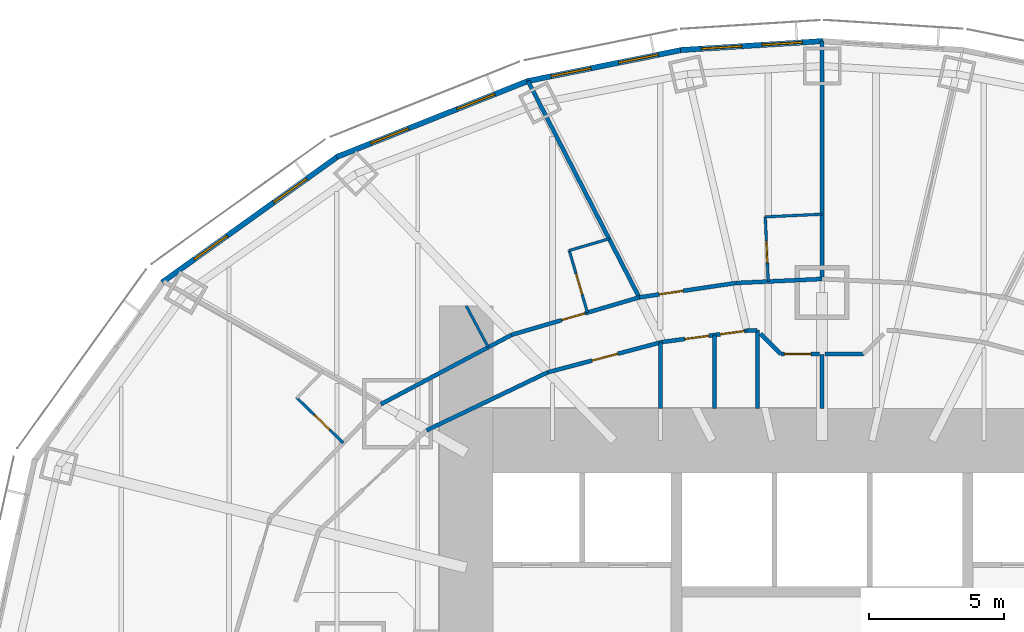
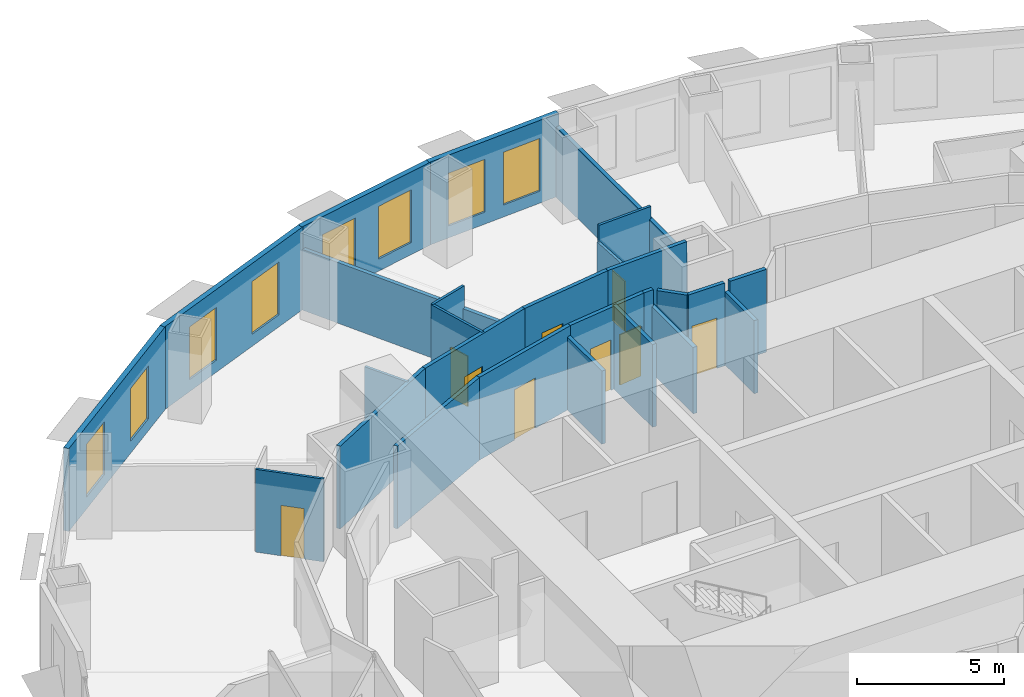
# One storey, part 9 of 15: 27 walls, 9 doors, 8 windows, 17 openings.
"""IFC4 building model written with IfcOpenShell, lengths in metres."""

from ifc_helpers import new_model, si_unit, direction, frame, frame_2d, origin, place, context, subcontext, project, spatial, rectangle, extrude, material, layer, layer_set, type_object, element, fill, save


model = new_model("IFC4")

# Units and contexts
model_context = context("Model", 3, precision=1e-05, world=origin(), true_north=direction((0.0, 1.0)))
body_context = subcontext(model_context, "Body", "Model", "MODEL_VIEW")
ifc_project = project(units=[si_unit("LENGTHUNIT", "METRE"), si_unit("AREAUNIT", "SQUARE_METRE"), si_unit("VOLUMEUNIT", "CUBIC_METRE"), si_unit("PLANEANGLEUNIT", "RADIAN"), si_unit("MASSUNIT", "GRAM", prefix="KILO")], contexts=[model_context])

# Site, building, storey
site_placement = place(None, origin())
site = spatial("IfcSite", under=ifc_project, at=site_placement, CompositionType="ELEMENT")
building_placement = place(site_placement, origin())
building = spatial("IfcBuilding", under=site, at=building_placement, Name="Lantaw Convention Tower", CompositionType="ELEMENT")
storey_placement = place(building_placement, frame((0.0, 0.0, 76.60009765625)))
storey = spatial("IfcBuildingStorey", under=building, at=storey_placement, Name="L17", CompositionType="ELEMENT", Elevation=76.60009765625)

# Walls
ifc_material_1 = material(Name="Gypsum board on steel studs", Category="steel")
ifc_layer_1 = layer(ifc_material_1, 0.14990234375)
ifc_layer_set_1 = layer_set([ifc_layer_1], Name="Back of house wall 150")
wall_type_1 = type_object("IfcWallType", Name="Back of house wall 150", PredefinedType="PARTITIONING", material=ifc_layer_set_1)
wall_1_placement = place(storey_placement, frame((0.0, 9.199951171875, 0.0), z_axis=(0.0, 0.0, 1.0), x_axis=(0.0, 1.0, 0.0)))
element("IfcWall", 1, at=wall_1_placement, inside=storey, type_object=wall_type_1, Name="Back of house wall 150", PredefinedType="PARTITIONING", context=body_context, shape_type="SweptSolid", body=[
    extrude(rectangle(XDim=2.005126953125, YDim=0.14990234375, at=frame_2d((1.00244140625, 0.0))), origin(), (0.0, 0.0, 1.0), 3.04345703125),
])
wall_2_placement = place(storey_placement, frame((-1.5322265625, 11.215087890625, 0.0), z_axis=(0.0, 0.0, 1.0), x_axis=(-0.707106781187, 0.707106781187, 0.0)))
element("IfcWall", 2, at=wall_2_placement, inside=storey, type_object=wall_type_1, Name="Back of house wall 150", PredefinedType="PARTITIONING", context=body_context, shape_type="SweptSolid", body=[
    extrude(rectangle(XDim=1.064453125, YDim=0.14990234375, at=frame_2d((0.5322265625, 0.0))), origin(), (0.0, 0.0, 1.0), 3.449951171875),
])

# Wall, opening, door
ifc_material_2 = material(Name="Moisture resistant gypsum board on steel studs", Category="steel")
ifc_layer_2 = layer(ifc_material_2, 0.10009765625)
ifc_layer_set_2 = layer_set([ifc_layer_2], Name="Bathroom wall 100")
wall_type_2 = type_object("IfcWallType", Name="Bathroom wall 100", PredefinedType="PARTITIONING", material=ifc_layer_set_2)
wall_3_placement = place(storey_placement, frame((-1.997802734375, 13.9072265625, 0.0), z_axis=(0.0, 0.0, 1.0), x_axis=(-0.046492089498, 0.998918658157, 0.0)))
wall_3 = element("IfcWall", 3, at=wall_3_placement, inside=storey, type_object=wall_type_2, Name="Bathroom wall 100", PredefinedType="PARTITIONING", context=body_context, shape_type="SweptSolid", body=[
    extrude(rectangle(XDim=2.39990234375, YDim=0.10009765625, at=frame_2d((1.199951171875, 0.0))), origin(), (0.0, 0.0, 1.0), 2.748779296875),
])
opening_1_placement = place(wall_3_placement, frame((0.699951171875, 0.0, 0.0)))
opening_1 = element("IfcOpeningElement", 4, at=opening_1_placement, cuts=wall_3, Name="Opening L17.35", PredefinedType="OPENING", context=body_context, shape_type="SweptSolid", body=[
    extrude(rectangle(XDim=0.800048828125, YDim=2.10009765625, at=frame_2d((0.39990234375, 1.050048828125))), frame((0.0, 0.06005859375, 0.0), z_axis=(0.0, -1.0, 0.0), x_axis=(1.0, 0.0, 0.0)), (0.0, 0.0, 1.0), 0.1201171875),
])
ifc_material_3 = material(Name="Timber", Category="wood")
door_type_1 = type_object("IfcDoorType", Name="Bathroom door 800", OperationType="SINGLE_SWING_LEFT", PredefinedType="DOOR", material=ifc_material_3)
door_1_placement = place(opening_1_placement, origin())
door_1 = element("IfcDoor", 5, at=door_1_placement, inside=storey, type_object=door_type_1, Name="Bathroom door", OperationType="SINGLE_SWING_LEFT", OverallHeight=2.10009765625, OverallWidth=0.800048828125, PredefinedType="DOOR", context=body_context, shape_type="SweptSolid", body=[
    extrude(rectangle(XDim=0.800048828125, YDim=2.10009765625, at=frame_2d((0.39990234375, 1.050048828125))), frame((0.0, 0.02490234375, 0.0), z_axis=(0.0, -1.0, 0.0), x_axis=(1.0, 0.0, 0.0)), (0.0, 0.0, 1.0), 0.050048828125),
])
fill(opening_1, door_1)

# Wall
wall_4_placement = place(storey_placement, frame((-2.109375, 16.304443359375, 0.0), z_axis=(0.0, 0.0, 1.0), x_axis=(0.998919337223, 0.04647749694, 0.0)))
element("IfcWall", 6, at=wall_4_placement, inside=storey, type_object=wall_type_2, Name="Bathroom wall 100", PredefinedType="PARTITIONING", context=body_context, shape_type="SweptSolid", body=[
    extrude(rectangle(XDim=2.111572265625, YDim=0.10009765625, at=frame_2d((1.0556640625, 0.0))), origin(), (0.0, 0.0, 1.0), 3.449951171875),
])

# Wall, opening, door
wall_5_placement = place(storey_placement, frame((-8.70458984375, 12.75390625, 0.0), z_axis=(0.0, 0.0, 1.0), x_axis=(-0.281659633817, 0.959514382736, 0.0)))
wall_5 = element("IfcWall", 7, at=wall_5_placement, inside=storey, type_object=wall_type_2, Name="Bathroom wall 100", PredefinedType="PARTITIONING", context=body_context, shape_type="SweptSolid", body=[
    extrude(rectangle(XDim=2.400146484375, YDim=0.10009765625, at=frame_2d((1.2001953125, 0.0))), origin(), (0.0, 0.0, 1.0), 3.449951171875),
])
opening_2_placement = place(wall_5_placement, frame((0.699951171875, 0.0, 0.0)))
opening_2 = element("IfcOpeningElement", 8, at=opening_2_placement, cuts=wall_5, Name="Opening L17.37", PredefinedType="OPENING", context=body_context, shape_type="SweptSolid", body=[
    extrude(rectangle(XDim=0.800048828125, YDim=2.10009765625, at=frame_2d((0.39990234375, 1.050048828125))), frame((0.0, 0.06005859375, 0.0), z_axis=(0.0, -1.0, 0.0), x_axis=(1.0, 0.0, 0.0)), (0.0, 0.0, 1.0), 0.1201171875),
])
door_2_placement = place(opening_2_placement, origin())
door_2 = element("IfcDoor", 9, at=door_2_placement, inside=storey, type_object=door_type_1, Name="Bathroom door", OperationType="SINGLE_SWING_LEFT", OverallHeight=2.10009765625, OverallWidth=0.800048828125, PredefinedType="DOOR", context=body_context, shape_type="SweptSolid", body=[
    extrude(rectangle(XDim=0.800048828125, YDim=2.10009765625, at=frame_2d((0.39990234375, 1.050048828125))), frame((0.0, 0.02490234375, 0.0), z_axis=(0.0, -1.0, 0.0), x_axis=(1.0, 0.0, 0.0)), (0.0, 0.0, 1.0), 0.050048828125),
])
fill(opening_2, door_2)

# Wall
wall_6_placement = place(storey_placement, frame((-9.380615234375, 15.056884765625, 0.0), z_axis=(0.0, 0.0, 1.0), x_axis=(0.959518451093, 0.281645773999, 0.0)))
element("IfcWall", 10, at=wall_6_placement, inside=storey, type_object=wall_type_2, Name="Bathroom wall 100", PredefinedType="PARTITIONING", context=body_context, shape_type="SweptSolid", body=[
    extrude(rectangle(XDim=1.549072265625, YDim=0.10009765625, at=frame_2d((0.7744140625, 0.0))), origin(), (0.0, 0.0, 1.0), 3.449951171875),
])

# Wall, opening, door
wall_7_placement = place(storey_placement, frame((-17.7607421875, 7.91748046875, 0.0), z_axis=(0.0, 0.0, 1.0), x_axis=(-0.718157610206, 0.695880483204, 0.0)))
wall_7 = element("IfcWall", 11, at=wall_7_placement, inside=storey, type_object=wall_type_2, Name="Bathroom wall 100", PredefinedType="PARTITIONING", context=body_context, shape_type="SweptSolid", body=[
    extrude(rectangle(XDim=2.400146484375, YDim=0.10009765625, at=frame_2d((1.2001953125, 0.0))), origin(), (0.0, 0.0, 1.0), 3.449951171875),
])
opening_3_placement = place(wall_7_placement, frame((0.699951171875, 0.0, 0.0)))
opening_3 = element("IfcOpeningElement", 12, at=opening_3_placement, cuts=wall_7, Name="Opening L17.39", PredefinedType="OPENING", context=body_context, shape_type="SweptSolid", body=[
    extrude(rectangle(XDim=0.800048828125, YDim=2.10009765625, at=frame_2d((0.39990234375, 1.050048828125))), frame((0.0, 0.06005859375, 0.0), z_axis=(0.0, -1.0, 0.0), x_axis=(1.0, 0.0, 0.0)), (0.0, 0.0, 1.0), 0.1201171875),
])
door_3_placement = place(opening_3_placement, origin())
door_3 = element("IfcDoor", 13, at=door_3_placement, inside=storey, type_object=door_type_1, Name="Bathroom door", OperationType="SINGLE_SWING_LEFT", OverallHeight=2.10009765625, OverallWidth=0.800048828125, PredefinedType="DOOR", context=body_context, shape_type="SweptSolid", body=[
    extrude(rectangle(XDim=0.800048828125, YDim=2.10009765625, at=frame_2d((0.39990234375, 1.050048828125))), frame((0.0, 0.02490234375, 0.0), z_axis=(0.0, -1.0, 0.0), x_axis=(1.0, 0.0, 0.0)), (0.0, 0.0, 1.0), 0.050048828125),
])
fill(opening_3, door_3)

# Wall
ifc_material_4 = material(Name="Gypsum board on steel studs, fire rated", Category="steel")
ifc_layer_3 = layer(ifc_material_4, 0.14990234375)
ifc_layer_set_3 = layer_set([ifc_layer_3], Name="Corridor wall 150 EI 60")
wall_type_3 = type_object("IfcWallType", Name="Corridor wall 150 EI 60", PredefinedType="PARTITIONING", material=ifc_layer_set_3)
wall_8_placement = place(storey_placement, frame((0.0, 14.0, 0.0), z_axis=(0.0, 0.0, 1.0), x_axis=(-0.998920826789, -0.046445471333, 0.0)))
element("IfcWall", 14, at=wall_8_placement, inside=storey, type_object=wall_type_3, Name="Corridor wall 150", PredefinedType="PARTITIONING", context=body_context, shape_type="SweptSolid", body=[
    extrude(rectangle(XDim=3.201171875, YDim=0.14990234375, at=frame_2d((1.6005859375, 0.0))), origin(), (0.0, 0.0, 1.0), 3.449951171875),
])

# Wall, opening, door
wall_9_placement = place(storey_placement, frame((-3.19775390625, 13.851318359375, 0.0), z_axis=(0.0, 0.0, 1.0), x_axis=(-0.989107488999, -0.14719502439, 0.0)))
wall_9 = element("IfcWall", 15, at=wall_9_placement, inside=storey, type_object=wall_type_3, Name="Corridor wall 150", PredefinedType="PARTITIONING", context=body_context, shape_type="SweptSolid", body=[
    extrude(rectangle(XDim=3.62744140625, YDim=0.14990234375, at=frame_2d((1.813720703125, 0.0))), origin(), (0.0, 0.0, 1.0), 3.449951171875),
])
opening_4_placement = place(wall_9_placement, frame((1.970458984375, 0.0, 0.0)))
opening_4 = element("IfcOpeningElement", 16, at=opening_4_placement, cuts=wall_9, Name="Opening L17.36", PredefinedType="OPENING", context=body_context, shape_type="SweptSolid", body=[
    extrude(rectangle(XDim=0.89990234375, YDim=2.10009765625, at=frame_2d((0.449951171875, 1.050048828125))), frame((0.0, 0.0849609375, 0.0), z_axis=(0.0, -1.0, 0.0), x_axis=(1.0, 0.0, 0.0)), (0.0, 0.0, 1.0), 0.169921875),
])
ifc_material_5 = material(Name="Steel, fire rated", Category="steel")
door_type_2 = type_object("IfcDoorType", Name="Guest room entrance door FD30S", OperationType="SINGLE_SWING_LEFT", PredefinedType="DOOR", material=ifc_material_5)
door_4_placement = place(opening_4_placement, origin())
door_4 = element("IfcDoor", 17, at=door_4_placement, inside=storey, type_object=door_type_2, Name="Junior suite entrance door", OperationType="SINGLE_SWING_LEFT", OverallHeight=2.10009765625, OverallWidth=0.89990234375, PredefinedType="DOOR", context=body_context, shape_type="SweptSolid", body=[
    extrude(rectangle(XDim=0.89990234375, YDim=2.10009765625, at=frame_2d((0.449951171875, 1.050048828125))), frame((0.0, 0.02490234375, 0.0), z_axis=(0.0, -1.0, 0.0), x_axis=(1.0, 0.0, 0.0)), (0.0, 0.0, 1.0), 0.050048828125),
])
fill(opening_4, door_4)

wall_10_placement = place(storey_placement, frame((-6.78564453125, 13.3173828125, 0.0), z_axis=(0.0, 0.0, 1.0), x_axis=(-0.959496227294, -0.281721475589, 0.0)))
wall_10 = element("IfcWall", 18, at=wall_10_placement, inside=storey, type_object=wall_type_3, Name="Corridor wall 150", PredefinedType="PARTITIONING", context=body_context, shape_type="SweptSolid", body=[
    extrude(rectangle(XDim=4.9326171875, YDim=0.14990234375, at=frame_2d((2.46630859375, 0.0))), origin(), (0.0, 0.0, 1.0), 3.449951171875),
])
opening_5_placement = place(wall_10_placement, frame((2.10009765625, 0.0, 0.0)))
opening_5 = element("IfcOpeningElement", 19, at=opening_5_placement, cuts=wall_10, Name="Opening L17.38", PredefinedType="OPENING", context=body_context, shape_type="SweptSolid", body=[
    extrude(rectangle(XDim=0.89990234375, YDim=2.10009765625, at=frame_2d((0.449951171875, 1.050048828125))), frame((0.0, 0.0849609375, 0.0), z_axis=(0.0, -1.0, 0.0), x_axis=(1.0, 0.0, 0.0)), (0.0, 0.0, 1.0), 0.169921875),
])
door_5_placement = place(opening_5_placement, origin())
door_5 = element("IfcDoor", 20, at=door_5_placement, inside=storey, type_object=door_type_2, Name="Junior suite entrance door", OperationType="SINGLE_SWING_LEFT", OverallHeight=2.10009765625, OverallWidth=0.89990234375, PredefinedType="DOOR", context=body_context, shape_type="SweptSolid", body=[
    extrude(rectangle(XDim=0.89990234375, YDim=2.10009765625, at=frame_2d((0.449951171875, 1.050048828125))), frame((0.0, 0.02490234375, 0.0), z_axis=(0.0, -1.0, 0.0), x_axis=(1.0, 0.0, 0.0)), (0.0, 0.0, 1.0), 0.050048828125),
])
fill(opening_5, door_5)

# Wall
wall_11_placement = place(storey_placement, frame((-11.5185546875, 11.927734375, 0.0), z_axis=(0.0, 0.0, 1.0), x_axis=(-0.883334368785, -0.468743419071, 0.0)))
element("IfcWall", 21, at=wall_11_placement, inside=storey, type_object=wall_type_3, Name="Corridor wall 150", PredefinedType="PARTITIONING", context=body_context, shape_type="SweptSolid", body=[
    extrude(rectangle(XDim=5.4912109375, YDim=0.14990234375, at=frame_2d((2.74560546875, 0.0))), origin(), (0.0, 0.0, 1.0), 3.449951171875),
])

# Wall, openings, doors
wall_12_placement = place(storey_placement, frame((-2.78955078125, 12.0830078125, 0.0), z_axis=(0.0, 0.0, 1.0), x_axis=(-0.991129053928, -0.13290296633, 0.0)))
wall_12 = element("IfcWall", 22, at=wall_12_placement, inside=storey, type_object=wall_type_3, Name="Corridor wall 150", PredefinedType="PARTITIONING", context=body_context, shape_type="SweptSolid", body=[
    extrude(rectangle(XDim=3.179931640625, YDim=0.14990234375, at=frame_2d((1.58984375, 0.0))), origin(), (0.0, 0.0, 1.0), 3.449951171875),
])
opening_6_placement = place(wall_12_placement, frame((0.10009765625, 0.0, 0.0)))
opening_6 = element("IfcOpeningElement", 23, at=opening_6_placement, cuts=wall_12, Name="Opening L17.20", PredefinedType="OPENING", context=body_context, shape_type="SweptSolid", body=[
    extrude(rectangle(XDim=0.89990234375, YDim=2.10009765625, at=frame_2d((0.449951171875, 1.050048828125))), frame((0.0, 0.0849609375, 0.0), z_axis=(0.0, -1.0, 0.0), x_axis=(1.0, 0.0, 0.0)), (0.0, 0.0, 1.0), 0.169921875),
])
opening_7_placement = place(wall_12_placement, frame((1.422119140625, 0.0, 0.0)))
opening_7 = element("IfcOpeningElement", 24, at=opening_7_placement, cuts=wall_12, Name="Opening L17.21", PredefinedType="OPENING", context=body_context, shape_type="SweptSolid", body=[
    extrude(rectangle(XDim=0.89990234375, YDim=2.10009765625, at=frame_2d((0.449951171875, 1.050048828125))), frame((0.0, 0.0849609375, 0.0), z_axis=(0.0, -1.0, 0.0), x_axis=(1.0, 0.0, 0.0)), (0.0, 0.0, 1.0), 0.169921875),
])
door_type_3 = type_object("IfcDoorType", Name="Service door 900 FD30", OperationType="SINGLE_SWING_LEFT", PredefinedType="DOOR", material=ifc_material_5)
door_6_placement = place(opening_7_placement, origin())
door_6 = element("IfcDoor", 25, at=door_6_placement, inside=storey, type_object=door_type_3, Name="Housekeeping pantry door", OperationType="SINGLE_SWING_LEFT", OverallHeight=2.10009765625, OverallWidth=0.89990234375, PredefinedType="DOOR", context=body_context, shape_type="SweptSolid", body=[
    extrude(rectangle(XDim=0.89990234375, YDim=2.10009765625, at=frame_2d((0.449951171875, 1.050048828125))), frame((0.0, 0.02490234375, 0.0), z_axis=(0.0, -1.0, 0.0), x_axis=(1.0, 0.0, 0.0)), (0.0, 0.0, 1.0), 0.050048828125),
])
fill(opening_7, door_6)
door_type_4 = type_object("IfcDoorType", Name="WC door 900 FD30", OperationType="SINGLE_SWING_LEFT", PredefinedType="DOOR", material=ifc_material_5)
door_7_placement = place(opening_6_placement, origin())
door_7 = element("IfcDoor", 26, at=door_7_placement, inside=storey, type_object=door_type_4, Name="Staff WC door", OperationType="SINGLE_SWING_LEFT", OverallHeight=2.10009765625, OverallWidth=0.89990234375, PredefinedType="DOOR", context=body_context, shape_type="SweptSolid", body=[
    extrude(rectangle(XDim=0.89990234375, YDim=2.10009765625, at=frame_2d((0.449951171875, 1.050048828125))), frame((0.0, 0.02490234375, 0.0), z_axis=(0.0, -1.0, 0.0), x_axis=(1.0, 0.0, 0.0)), (0.0, 0.0, 1.0), 0.050048828125),
])
fill(opening_6, door_7)

# Wall, opening, door
wall_13_placement = place(storey_placement, frame((-5.941162109375, 11.660400390625, 0.0), z_axis=(0.0, 0.0, 1.0), x_axis=(-0.966672790407, -0.256015070428, 0.0)))
wall_13 = element("IfcWall", 27, at=wall_13_placement, inside=storey, type_object=wall_type_3, Name="Corridor wall 150", PredefinedType="PARTITIONING", context=body_context, shape_type="SweptSolid", body=[
    extrude(rectangle(XDim=4.3818359375, YDim=0.14990234375, at=frame_2d((2.19091796875, 0.0))), origin(), (0.0, 0.0, 1.0), 3.449951171875),
])
opening_8_placement = place(wall_13_placement, frame((1.69091796875, 0.0, 0.0)))
opening_8 = element("IfcOpeningElement", 28, at=opening_8_placement, cuts=wall_13, Name="Opening L17.22", PredefinedType="OPENING", context=body_context, shape_type="SweptSolid", body=[
    extrude(rectangle(XDim=1.0, YDim=2.10009765625, at=frame_2d((0.5, 1.050048828125))), frame((0.0, 0.0849609375, 0.0), z_axis=(0.0, -1.0, 0.0), x_axis=(1.0, 0.0, 0.0)), (0.0, 0.0, 1.0), 0.169921875),
])
door_type_5 = type_object("IfcDoorType", Name="Service door 1000 FD30", OperationType="SINGLE_SWING_LEFT", PredefinedType="DOOR", material=ifc_material_5)
door_8_placement = place(opening_8_placement, origin())
door_8 = element("IfcDoor", 29, at=door_8_placement, inside=storey, type_object=door_type_5, Name="Housekeeping room door", OperationType="SINGLE_SWING_LEFT", OverallHeight=2.10009765625, OverallWidth=1.0, PredefinedType="DOOR", context=body_context, shape_type="SweptSolid", body=[
    extrude(rectangle(XDim=1.0, YDim=2.10009765625, at=frame_2d((0.5, 1.050048828125))), frame((0.0, 0.02490234375, 0.0), z_axis=(0.0, -1.0, 0.0), x_axis=(1.0, 0.0, 0.0)), (0.0, 0.0, 1.0), 0.050048828125),
])
fill(opening_8, door_8)

# Walls
wall_14_placement = place(storey_placement, frame((-10.177001953125, 10.53857421875, 0.0), z_axis=(0.0, 0.0, 1.0), x_axis=(-0.901869692799, -0.43200816799, 0.0)))
element("IfcWall", 30, at=wall_14_placement, inside=storey, type_object=wall_type_3, Name="Corridor wall 150", PredefinedType="PARTITIONING", context=body_context, shape_type="SweptSolid", body=[
    extrude(rectangle(XDim=4.985595703125, YDim=0.14990234375, at=frame_2d((2.49267578125, 0.0))), origin(), (0.0, 0.0, 1.0), 3.449951171875),
])
wall_15_placement = place(storey_placement, frame((-2.413330078125, 12.098876953125, 0.0), z_axis=(0.0, 0.0, 1.0), x_axis=(-0.999111592136, -0.042142928935, 0.0)))
element("IfcWall", 31, at=wall_15_placement, inside=storey, type_object=wall_type_3, Name="Corridor wall 150", PredefinedType="PARTITIONING", context=body_context, shape_type="SweptSolid", body=[
    extrude(rectangle(XDim=0.37646484375, YDim=0.14990234375, at=frame_2d((0.188232421875, 0.0))), origin(), (0.0, 0.0, 1.0), 3.449951171875),
])
wall_16_placement = place(storey_placement, frame((1.5322265625, 11.215087890625, 0.0), z_axis=(0.0, 0.0, 1.0), x_axis=(-1.0, 0.0, 0.0)))
element("IfcWall", 32, at=wall_16_placement, inside=storey, type_object=wall_type_3, Name="Corridor wall 150", PredefinedType="PARTITIONING", context=body_context, shape_type="SweptSolid", body=[
    extrude(rectangle(XDim=1.428955078125, YDim=0.14990234375, at=frame_2d((0.71435546875, 0.0))), origin(), (0.0, 0.0, 1.0), 3.449951171875),
])

# Wall, opening, door
wall_17_placement = place(storey_placement, frame((-0.103271484375, 11.215087890625, 0.0), z_axis=(0.0, 0.0, 1.0), x_axis=(-1.0, 0.0, 0.0)))
wall_17 = element("IfcWall", 33, at=wall_17_placement, inside=storey, type_object=wall_type_3, Name="Corridor wall 150", PredefinedType="PARTITIONING", context=body_context, shape_type="SweptSolid", body=[
    extrude(rectangle(XDim=1.428955078125, YDim=0.14990234375, at=frame_2d((0.71435546875, 0.0))), origin(), (0.0, 0.0, 1.0), 3.449951171875),
])
opening_9_placement = place(wall_17_placement, frame((0.300048828125, 0.0, 0.0)))
opening_9 = element("IfcOpeningElement", 34, at=opening_9_placement, cuts=wall_17, Name="Opening L17.19", PredefinedType="OPENING", context=body_context, shape_type="SweptSolid", body=[
    extrude(rectangle(XDim=1.0, YDim=2.10009765625, at=frame_2d((0.5, 1.050048828125))), frame((0.0, 0.0849609375, 0.0), z_axis=(0.0, -1.0, 0.0), x_axis=(1.0, 0.0, 0.0)), (0.0, 0.0, 1.0), 0.169921875),
])
door_type_6 = type_object("IfcDoorType", Name="Accessible WC door 1000 FD30", OperationType="SINGLE_SWING_LEFT", PredefinedType="DOOR", material=ifc_material_5)
door_9_placement = place(opening_9_placement, origin())
door_9 = element("IfcDoor", 35, at=door_9_placement, inside=storey, type_object=door_type_6, Name="Accessible WC door", OperationType="SINGLE_SWING_LEFT", OverallHeight=2.10009765625, OverallWidth=1.0, PredefinedType="DOOR", context=body_context, shape_type="SweptSolid", body=[
    extrude(rectangle(XDim=1.0, YDim=2.10009765625, at=frame_2d((0.5, 1.050048828125))), frame((0.0, 0.02490234375, 0.0), z_axis=(0.0, -1.0, 0.0), x_axis=(1.0, 0.0, 0.0)), (0.0, 0.0, 1.0), 0.050048828125),
])
fill(opening_9, door_9)

# Wall, openings, windows
ifc_material_6 = material(Name="Insulated aluminium panel on steel frame", Category="steel")
ifc_layer_4 = layer(ifc_material_6, 0.199951171875)
ifc_layer_set_4 = layer_set([ifc_layer_4], Name="External wall 200")
wall_type_4 = type_object("IfcWallType", Name="External wall 200", PredefinedType="SOLIDWALL", material=ifc_layer_set_4)
wall_18_placement = place(storey_placement, frame((0.041015625, 22.8271484375, 0.0), z_axis=(0.0, 0.0, 1.0), x_axis=(-0.998018582375, -0.062919863585, 0.0)))
wall_18 = element("IfcWall", 36, at=wall_18_placement, inside=storey, type_object=wall_type_4, Name="Facade panel wall", PredefinedType="SOLIDWALL", context=body_context, shape_type="SweptSolid", body=[
    extrude(rectangle(XDim=5.30419921875, YDim=0.199951171875, at=frame_2d((2.652099609375, 0.0))), origin(), (0.0, 0.0, 1.0), 3.449951171875),
])
opening_10_placement = place(wall_18_placement, frame((0.77587890625, 0.0, 0.5)))
opening_10 = element("IfcOpeningElement", 37, at=opening_10_placement, cuts=wall_18, Name="Opening W2", PredefinedType="OPENING", context=body_context, shape_type="SweptSolid", body=[
    extrude(rectangle(XDim=1.5, YDim=2.199951171875, at=frame_2d((0.75, 1.10009765625))), frame((0.0, 0.10986328125, 0.0), z_axis=(0.0, -1.0, 0.0), x_axis=(1.0, 0.0, 0.0)), (0.0, 0.0, 1.0), 0.219970703125),
])
opening_11_placement = place(wall_18_placement, frame((3.028076171875, 0.0, 0.5)))
opening_11 = element("IfcOpeningElement", 38, at=opening_11_placement, cuts=wall_18, Name="Opening W2", PredefinedType="OPENING", context=body_context, shape_type="SweptSolid", body=[
    extrude(rectangle(XDim=1.5, YDim=2.199951171875, at=frame_2d((0.75, 1.10009765625))), frame((0.0, 0.10986328125, 0.0), z_axis=(0.0, -1.0, 0.0), x_axis=(1.0, 0.0, 0.0)), (0.0, 0.0, 1.0), 0.219970703125),
])
ifc_material_7 = material(Name="Aluminium frame, clear insulating glass", Category="aluminium")
window_type = type_object("IfcWindowType", Name="Suite window 1500x2200", PartitioningType="SINGLE_PANEL", PredefinedType="WINDOW", material=ifc_material_7)
window_1_placement = place(opening_10_placement, origin())
window_1 = element("IfcWindow", 39, at=window_1_placement, inside=storey, type_object=window_type, Name="Guest room window", OverallHeight=2.199951171875, OverallWidth=1.5, PartitioningType="SINGLE_PANEL", PredefinedType="WINDOW", context=body_context, shape_type="SweptSolid", body=[
    extrude(rectangle(XDim=1.5, YDim=2.199951171875, at=frame_2d((0.75, 1.10009765625))), frame((0.0, 0.030029296875, 0.0), z_axis=(0.0, -1.0, 0.0), x_axis=(1.0, 0.0, 0.0)), (0.0, 0.0, 1.0), 0.06005859375),
])
fill(opening_10, window_1)
window_2_placement = place(opening_11_placement, origin())
window_2 = element("IfcWindow", 40, at=window_2_placement, inside=storey, type_object=window_type, Name="Guest room window", OverallHeight=2.199951171875, OverallWidth=1.5, PartitioningType="SINGLE_PANEL", PredefinedType="WINDOW", context=body_context, shape_type="SweptSolid", body=[
    extrude(rectangle(XDim=1.5, YDim=2.199951171875, at=frame_2d((0.75, 1.10009765625))), frame((0.0, 0.030029296875, 0.0), z_axis=(0.0, -1.0, 0.0), x_axis=(1.0, 0.0, 0.0)), (0.0, 0.0, 1.0), 0.06005859375),
])
fill(opening_11, window_2)

wall_19_placement = place(storey_placement, frame((-5.169677734375, 22.504150390625, 0.0), z_axis=(0.0, 0.0, 1.0), x_axis=(-0.980251657452, -0.197754110105, 0.0)))
wall_19 = element("IfcWall", 41, at=wall_19_placement, inside=storey, type_object=wall_type_4, Name="Facade panel wall", PredefinedType="SOLIDWALL", context=body_context, shape_type="SweptSolid", body=[
    extrude(rectangle(XDim=5.90380859375, YDim=0.199951171875, at=frame_2d((2.951904296875, 0.0))), origin(), (0.0, 0.0, 1.0), 3.449951171875),
])
opening_12_placement = place(wall_19_placement, frame((0.92578125, 0.0, 0.5)))
opening_12 = element("IfcOpeningElement", 42, at=opening_12_placement, cuts=wall_19, Name="Opening W2", PredefinedType="OPENING", context=body_context, shape_type="SweptSolid", body=[
    extrude(rectangle(XDim=1.5, YDim=2.199951171875, at=frame_2d((0.75, 1.10009765625))), frame((0.0, 0.10986328125, 0.0), z_axis=(0.0, -1.0, 0.0), x_axis=(1.0, 0.0, 0.0)), (0.0, 0.0, 1.0), 0.219970703125),
])
opening_13_placement = place(wall_19_placement, frame((3.477783203125, 0.0, 0.5)))
opening_13 = element("IfcOpeningElement", 43, at=opening_13_placement, cuts=wall_19, Name="Opening W2", PredefinedType="OPENING", context=body_context, shape_type="SweptSolid", body=[
    extrude(rectangle(XDim=1.5, YDim=2.199951171875, at=frame_2d((0.75, 1.10009765625))), frame((0.0, 0.10986328125, 0.0), z_axis=(0.0, -1.0, 0.0), x_axis=(1.0, 0.0, 0.0)), (0.0, 0.0, 1.0), 0.219970703125),
])
window_3_placement = place(opening_12_placement, origin())
window_3 = element("IfcWindow", 44, at=window_3_placement, inside=storey, type_object=window_type, Name="Guest room window", OverallHeight=2.199951171875, OverallWidth=1.5, PartitioningType="SINGLE_PANEL", PredefinedType="WINDOW", context=body_context, shape_type="SweptSolid", body=[
    extrude(rectangle(XDim=1.5, YDim=2.199951171875, at=frame_2d((0.75, 1.10009765625))), frame((0.0, 0.030029296875, 0.0), z_axis=(0.0, -1.0, 0.0), x_axis=(1.0, 0.0, 0.0)), (0.0, 0.0, 1.0), 0.06005859375),
])
fill(opening_12, window_3)
window_4_placement = place(opening_13_placement, origin())
window_4 = element("IfcWindow", 45, at=window_4_placement, inside=storey, type_object=window_type, Name="Guest room window", OverallHeight=2.199951171875, OverallWidth=1.5, PartitioningType="SINGLE_PANEL", PredefinedType="WINDOW", context=body_context, shape_type="SweptSolid", body=[
    extrude(rectangle(XDim=1.5, YDim=2.199951171875, at=frame_2d((0.75, 1.10009765625))), frame((0.0, 0.030029296875, 0.0), z_axis=(0.0, -1.0, 0.0), x_axis=(1.0, 0.0, 0.0)), (0.0, 0.0, 1.0), 0.06005859375),
])
fill(opening_13, window_4)

wall_20_placement = place(storey_placement, frame((-10.869384765625, 21.362548828125, 0.0), z_axis=(0.0, 0.0, 1.0), x_axis=(-0.929358351251, -0.369178892895, 0.0)))
wall_20 = element("IfcWall", 46, at=wall_20_placement, inside=storey, type_object=wall_type_4, Name="Facade panel wall", PredefinedType="SOLIDWALL", context=body_context, shape_type="SweptSolid", body=[
    extrude(rectangle(XDim=7.6923828125, YDim=0.199951171875, at=frame_2d((3.84619140625, 0.0))), origin(), (0.0, 0.0, 1.0), 3.449951171875),
])
opening_14_placement = place(wall_20_placement, frame((1.373046875, 0.0, 0.5)))
opening_14 = element("IfcOpeningElement", 47, at=opening_14_placement, cuts=wall_20, Name="Opening W2", PredefinedType="OPENING", context=body_context, shape_type="SweptSolid", body=[
    extrude(rectangle(XDim=1.5, YDim=2.199951171875, at=frame_2d((0.75, 1.10009765625))), frame((0.0, 0.10986328125, 0.0), z_axis=(0.0, -1.0, 0.0), x_axis=(1.0, 0.0, 0.0)), (0.0, 0.0, 1.0), 0.219970703125),
])
opening_15_placement = place(wall_20_placement, frame((4.819091796875, 0.0, 0.5)))
opening_15 = element("IfcOpeningElement", 48, at=opening_15_placement, cuts=wall_20, Name="Opening W2", PredefinedType="OPENING", context=body_context, shape_type="SweptSolid", body=[
    extrude(rectangle(XDim=1.5, YDim=2.199951171875, at=frame_2d((0.75, 1.10009765625))), frame((0.0, 0.10986328125, 0.0), z_axis=(0.0, -1.0, 0.0), x_axis=(1.0, 0.0, 0.0)), (0.0, 0.0, 1.0), 0.219970703125),
])
window_5_placement = place(opening_14_placement, origin())
window_5 = element("IfcWindow", 49, at=window_5_placement, inside=storey, type_object=window_type, Name="Guest room window", OverallHeight=2.199951171875, OverallWidth=1.5, PartitioningType="SINGLE_PANEL", PredefinedType="WINDOW", context=body_context, shape_type="SweptSolid", body=[
    extrude(rectangle(XDim=1.5, YDim=2.199951171875, at=frame_2d((0.75, 1.10009765625))), frame((0.0, 0.030029296875, 0.0), z_axis=(0.0, -1.0, 0.0), x_axis=(1.0, 0.0, 0.0)), (0.0, 0.0, 1.0), 0.06005859375),
])
fill(opening_14, window_5)
window_6_placement = place(opening_15_placement, origin())
window_6 = element("IfcWindow", 50, at=window_6_placement, inside=storey, type_object=window_type, Name="Guest room window", OverallHeight=2.199951171875, OverallWidth=1.5, PartitioningType="SINGLE_PANEL", PredefinedType="WINDOW", context=body_context, shape_type="SweptSolid", body=[
    extrude(rectangle(XDim=1.5, YDim=2.199951171875, at=frame_2d((0.75, 1.10009765625))), frame((0.0, 0.030029296875, 0.0), z_axis=(0.0, -1.0, 0.0), x_axis=(1.0, 0.0, 0.0)), (0.0, 0.0, 1.0), 0.06005859375),
])
fill(opening_15, window_6)

wall_21_placement = place(storey_placement, frame((-17.9287109375, 18.57177734375, 0.0), z_axis=(0.0, 0.0, 1.0), x_axis=(-0.812791321576, -0.582554948112, 0.0)))
wall_21 = element("IfcWall", 51, at=wall_21_placement, inside=storey, type_object=wall_type_4, Name="Facade panel wall", PredefinedType="SOLIDWALL", context=body_context, shape_type="SweptSolid", body=[
    extrude(rectangle(XDim=8.063232421875, YDim=0.199951171875, at=frame_2d((4.03173828125, 0.0))), origin(), (0.0, 0.0, 1.0), 3.449951171875),
])
opening_16_placement = place(wall_21_placement, frame((1.4658203125, 0.0, 0.5)))
opening_16 = element("IfcOpeningElement", 52, at=opening_16_placement, cuts=wall_21, Name="Opening W2", PredefinedType="OPENING", context=body_context, shape_type="SweptSolid", body=[
    extrude(rectangle(XDim=1.5, YDim=2.199951171875, at=frame_2d((0.75, 1.10009765625))), frame((0.0, 0.10986328125, 0.0), z_axis=(0.0, -1.0, 0.0), x_axis=(1.0, 0.0, 0.0)), (0.0, 0.0, 1.0), 0.219970703125),
])
opening_17_placement = place(wall_21_placement, frame((5.097412109375, 0.0, 0.5)))
opening_17 = element("IfcOpeningElement", 53, at=opening_17_placement, cuts=wall_21, Name="Opening W2", PredefinedType="OPENING", context=body_context, shape_type="SweptSolid", body=[
    extrude(rectangle(XDim=1.5, YDim=2.199951171875, at=frame_2d((0.75, 1.10009765625))), frame((0.0, 0.10986328125, 0.0), z_axis=(0.0, -1.0, 0.0), x_axis=(1.0, 0.0, 0.0)), (0.0, 0.0, 1.0), 0.219970703125),
])
window_7_placement = place(opening_16_placement, origin())
window_7 = element("IfcWindow", 54, at=window_7_placement, inside=storey, type_object=window_type, Name="Guest room window", OverallHeight=2.199951171875, OverallWidth=1.5, PartitioningType="SINGLE_PANEL", PredefinedType="WINDOW", context=body_context, shape_type="SweptSolid", body=[
    extrude(rectangle(XDim=1.5, YDim=2.199951171875, at=frame_2d((0.75, 1.10009765625))), frame((0.0, 0.030029296875, 0.0), z_axis=(0.0, -1.0, 0.0), x_axis=(1.0, 0.0, 0.0)), (0.0, 0.0, 1.0), 0.06005859375),
])
fill(opening_16, window_7)
window_8_placement = place(opening_17_placement, origin())
window_8 = element("IfcWindow", 55, at=window_8_placement, inside=storey, type_object=window_type, Name="Guest room window", OverallHeight=2.199951171875, OverallWidth=1.5, PartitioningType="SINGLE_PANEL", PredefinedType="WINDOW", context=body_context, shape_type="SweptSolid", body=[
    extrude(rectangle(XDim=1.5, YDim=2.199951171875, at=frame_2d((0.75, 1.10009765625))), frame((0.0, 0.030029296875, 0.0), z_axis=(0.0, -1.0, 0.0), x_axis=(1.0, 0.0, 0.0)), (0.0, 0.0, 1.0), 0.06005859375),
])
fill(opening_17, window_8)

# Walls
ifc_material_8 = material(Name="Gypsum board on steel studs, acoustic", Category="steel")
ifc_layer_5 = layer(ifc_material_8, 0.14990234375)
ifc_layer_set_5 = layer_set([ifc_layer_5], Name="Guest room party wall 150")
wall_type_5 = type_object("IfcWallType", Name="Guest room party wall 150", PredefinedType="PARTITIONING", material=ifc_layer_set_5)
wall_22_placement = place(storey_placement, frame((0.0, 22.82470703125, 0.0), z_axis=(0.0, 0.0, 1.0), x_axis=(0.0, -1.0, 0.0)))
element("IfcWall", 56, at=wall_22_placement, inside=storey, type_object=wall_type_5, Name="Guest room party wall 150", PredefinedType="PARTITIONING", context=body_context, shape_type="SweptSolid", body=[
    extrude(rectangle(XDim=8.82470703125, YDim=0.14990234375, at=frame_2d((4.412353515625, 0.0))), origin(), (0.0, 0.0, 1.0), 2.924072265625),
])
wall_23_placement = place(storey_placement, frame((-10.911865234375, 21.345703125, 0.0), z_axis=(0.0, 0.0, 1.0), x_axis=(0.457117602022, -0.889406261458, 0.0)))
element("IfcWall", 57, at=wall_23_placement, inside=storey, type_object=wall_type_5, Name="Guest room party wall 150", PredefinedType="PARTITIONING", context=body_context, shape_type="SweptSolid", body=[
    extrude(rectangle(XDim=9.026611328125, YDim=0.14990234375, at=frame_2d((4.51318359375, 0.0))), origin(), (0.0, 0.0, 1.0), 2.52783203125),
])
ifc_layer_6 = layer(ifc_material_8, 0.10009765625)
ifc_layer_set_6 = layer_set([ifc_layer_6], Name="Office partition 100")
wall_type_6 = type_object("IfcWallType", Name="Office partition 100", PredefinedType="PARTITIONING", material=ifc_layer_set_6)
wall_24_placement = place(storey_placement, frame((-13.199951171875, 13.0, 0.0), z_axis=(0.0, 0.0, 1.0), x_axis=(0.46874717052, -0.88333237806, 0.0)))
element("IfcWall", 58, at=wall_24_placement, inside=storey, type_object=wall_type_6, Name="Office partition 100", PredefinedType="PARTITIONING", context=body_context, shape_type="SweptSolid", body=[
    extrude(rectangle(XDim=1.7353515625, YDim=0.10009765625, at=frame_2d((0.86767578125, 0.0))), origin(), (0.0, 0.0, 1.0), 3.449951171875),
])
ifc_material_9 = material(Name="Concrete blockwork", Category="masonry")
ifc_layer_7 = layer(ifc_material_9, 0.14990234375)
ifc_layer_set_7 = layer_set([ifc_layer_7], Name="WC wall 150")
wall_type_7 = type_object("IfcWallType", Name="WC wall 150", PredefinedType="SOLIDWALL", material=ifc_layer_set_7)
wall_25_placement = place(storey_placement, frame((-2.39990234375, 9.199951171875, 0.0), z_axis=(0.0, 0.0, 1.0), x_axis=(0.0, 1.0, 0.0)))
element("IfcWall", 59, at=wall_25_placement, inside=storey, type_object=wall_type_7, Name="WC wall 150", PredefinedType="SOLIDWALL", context=body_context, shape_type="SweptSolid", body=[
    extrude(rectangle(XDim=2.8994140625, YDim=0.14990234375, at=frame_2d((1.44970703125, 0.0))), origin(), (0.0, 0.0, 1.0), 2.7666015625),
])
wall_26_placement = place(storey_placement, frame((-4.0, 9.199951171875, 0.0), z_axis=(0.0, 0.0, 1.0), x_axis=(0.0, 1.0, 0.0)))
element("IfcWall", 60, at=wall_26_placement, inside=storey, type_object=wall_type_7, Name="WC wall 150", PredefinedType="SOLIDWALL", context=body_context, shape_type="SweptSolid", body=[
    extrude(rectangle(XDim=2.720703125, YDim=0.14990234375, at=frame_2d((1.3603515625, 0.0))), origin(), (0.0, 0.0, 1.0), 3.449951171875),
])
wall_27_placement = place(storey_placement, frame((-6.0, 9.199951171875, 0.0), z_axis=(0.0, 0.0, 1.0), x_axis=(0.0, 1.0, 0.0)))
element("IfcWall", 61, at=wall_27_placement, inside=storey, type_object=wall_type_7, Name="WC wall 150", PredefinedType="SOLIDWALL", context=body_context, shape_type="SweptSolid", body=[
    extrude(rectangle(XDim=2.44482421875, YDim=0.14990234375, at=frame_2d((1.222412109375, 0.0))), origin(), (0.0, 0.0, 1.0), 3.046142578125),
])

save(model, "model.ifc")
